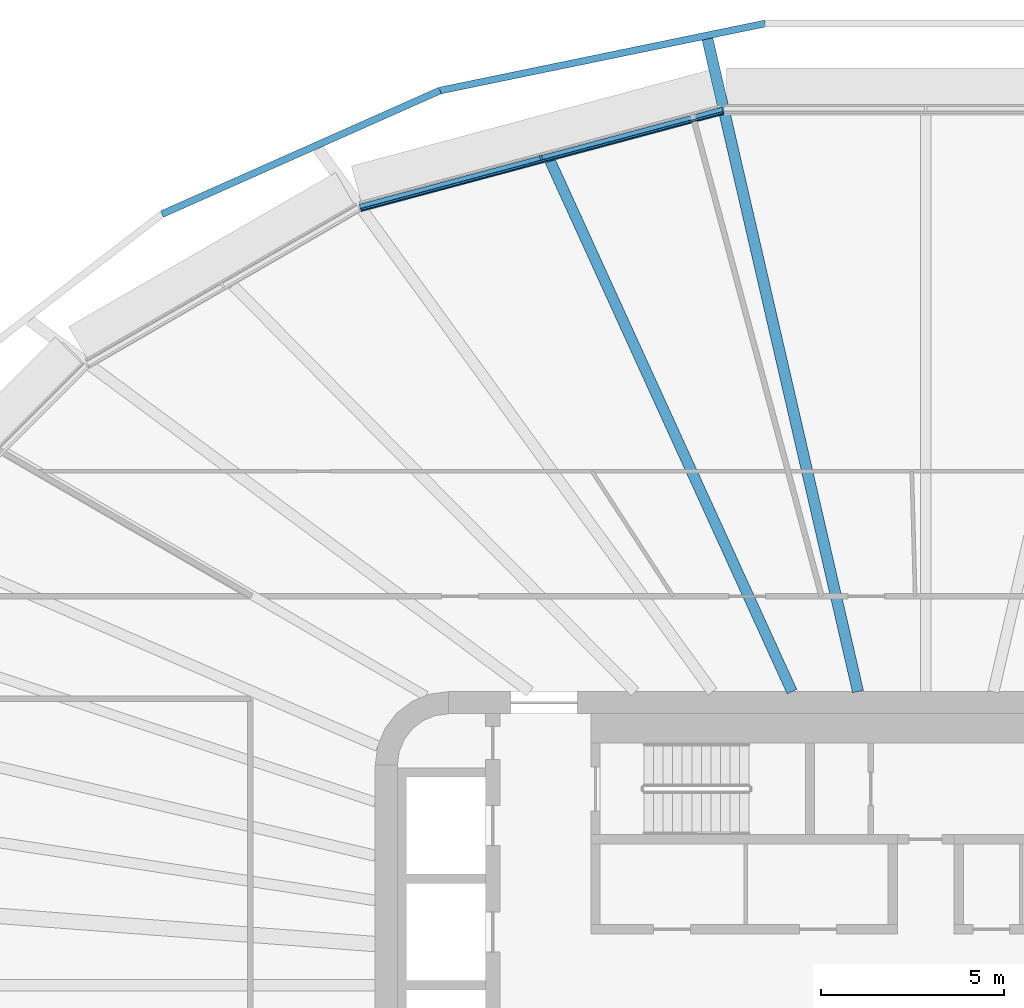
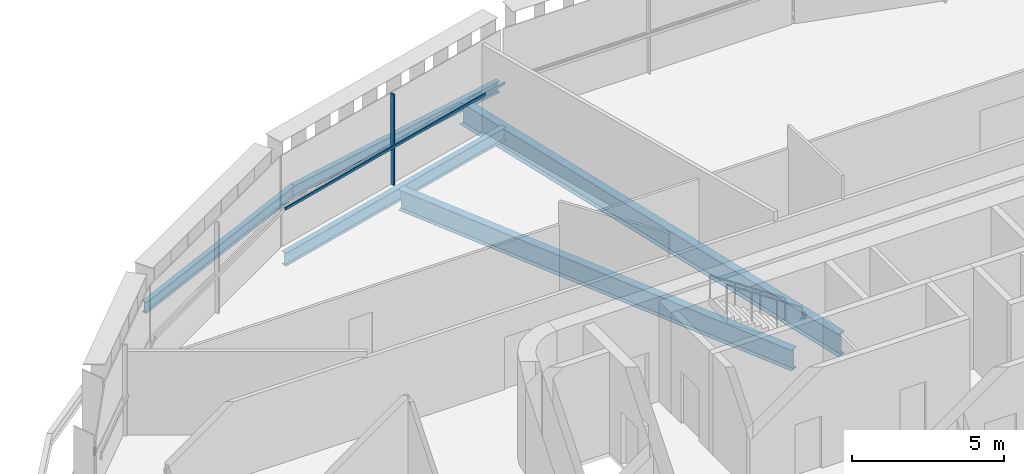
# One storey, part 8 of 25: 5 beams, 2 members, 1 element without a shape of its own.
"""IFC4 building model written with IfcOpenShell, lengths in metres."""

from ifc_helpers import new_model, si_unit, direction, frame, origin, origin_2d, place, context, subcontext, project, spatial, rectangle, i_section, extrude, material, layer, layer_set, material_profile, profile_set, type_object, element, aggregate, save


model = new_model("IFC4")

# Units and contexts
model_context = context("Model", 3, precision=1e-05, world=origin(), true_north=direction((0.0, 1.0)))
body_context = subcontext(model_context, "Body", "Model", "MODEL_VIEW")
ifc_project = project(units=[si_unit("LENGTHUNIT", "METRE"), si_unit("AREAUNIT", "SQUARE_METRE"), si_unit("VOLUMEUNIT", "CUBIC_METRE"), si_unit("PLANEANGLEUNIT", "RADIAN"), si_unit("MASSUNIT", "GRAM", prefix="KILO")], contexts=[model_context])

# Site, building, storey
site_placement = place(None, origin())
site = spatial("IfcSite", under=ifc_project, at=site_placement, CompositionType="ELEMENT")
building_placement = place(site_placement, origin())
building = spatial("IfcBuilding", under=site, at=building_placement, Name="Sahrelin Media Tower", CompositionType="ELEMENT")
storey_placement = place(building_placement, frame((0.0, 0.0, 106.199951171875)))
storey = spatial("IfcBuildingStorey", under=building, at=storey_placement, Name="L20", CompositionType="ELEMENT", Elevation=106.199951171875)

# Beam
ifc_material_1 = material(Name="Steel S355", Category="steel")
ifc_material_profile_1 = material_profile(ifc_material_1, i_section(OverallWidth=0.208740234375, OverallDepth=0.5283203125, WebThickness=0.009521484375, FlangeThickness=0.01318359375, FilletRadius=0.0126953125, at=origin_2d()), Name="UB 533x210x82")
ifc_profile_set_1 = profile_set([ifc_material_profile_1], Name="Steel S355")
beam_type_1 = type_object("IfcBeamType", Name="Edge beam EB6", PredefinedType="BEAM", material=ifc_profile_set_1)
beam_1_placement = place(storey_placement, frame((-15.41162109375, 21.17431640625, -0.4140625), z_axis=(0.965929419345, 0.258805635261, 0.0), x_axis=(-0.258805635261, 0.965929419345, 0.0)))
element("IfcBeam", 1, at=beam_1_placement, inside=storey, type_object=beam_type_1, Name="Edge beam L20-18", PredefinedType="BEAM", context=body_context, shape_type="SweptSolid", body=[
    extrude(i_section(OverallWidth=0.208740234375, OverallDepth=0.5283203125, WebThickness=0.009521484375, FlangeThickness=0.01318359375, FilletRadius=0.0126953125, at=origin_2d()), origin(), (0.0, 0.0, 1.0), 10.235107421875),
])

# Curtain wall, member
ifc_material_2 = material(Name="Champagne anodised aluminium 6063-T6", Category="aluminium")
ifc_layer = layer(ifc_material_2, 0.14990234375)
ifc_layer_set = layer_set([ifc_layer], Name="Tower ribbon curtain wall")
curtain_wall_type = type_object("IfcCurtainWallType", Name="Tower ribbon curtain wall", PredefinedType="NOTDEFINED", material=ifc_layer_set)
curtain_wall_placement = place(storey_placement, frame((-10.507080078125, 22.643798828125, 0.0), z_axis=(0.0, 0.0, 1.0), x_axis=(1.0, 0.0, 0.0)))
curtain_wall = element("IfcCurtainWall", 2, at=curtain_wall_placement, inside=storey, type_object=curtain_wall_type, Name="L20:CW:L20-07", PredefinedType="NOTDEFINED")
ifc_material_profile_2 = material_profile(ifc_material_2, rectangle(XDim=0.06005859375, YDim=0.14990234375, at=origin_2d()), Name="Mullion 60x150")
ifc_profile_set_2 = profile_set([ifc_material_profile_2], Name="Champagne anodised aluminium 6063-T6")
member_type_1 = type_object("IfcMemberType", Name="Mullion 60x150 CW1", PredefinedType="MULLION", material=ifc_profile_set_2)
member_1_placement = place(storey_placement, frame((-10.482666015625, 22.552001953125, 0.0), z_axis=(0.0, 0.0, 1.0), x_axis=(-0.965926278012, -0.258817359244, 0.0)))
member_1 = element("IfcMember", 3, at=member_1_placement, type_object=member_type_1, Name="L20:CWM:L20-07", PredefinedType="MULLION", context=body_context, shape_type="SweptSolid", body=[
    extrude(rectangle(XDim=0.06005859375, YDim=0.14990234375, at=origin_2d()), origin(), (0.0, 0.0, 1.0), 3.648681640625),
])

# Beams
ifc_material_profile_3 = material_profile(ifc_material_1, i_section(OverallWidth=0.30322265625, OverallDepth=0.903076171875, WebThickness=0.01513671875, FlangeThickness=0.020263671875, FilletRadius=0.01904296875, at=origin_2d()), Name="UB 914x305x201")
ifc_profile_set_3 = profile_set([ifc_material_profile_3], Name="Steel S355")
beam_type_2 = type_object("IfcBeamType", Name="Radial primary beam PB11", PredefinedType="BEAM", material=ifc_profile_set_3)
beam_2_placement = place(storey_placement, frame((-1.845458984375, 8.0, -0.6015625), z_axis=(-0.224770597267, 0.974411708984, 0.0), x_axis=(-0.974411708984, -0.224770597267, 0.0)))
element("IfcBeam", 4, at=beam_2_placement, inside=storey, type_object=beam_type_2, Name="Radial beam L20-07", PredefinedType="BEAM", context=body_context, shape_type="SweptSolid", body=[
    extrude(i_section(OverallWidth=0.30322265625, OverallDepth=0.903076171875, WebThickness=0.01513671875, FlangeThickness=0.020263671875, FilletRadius=0.01904296875, at=origin_2d()), origin(), (0.0, 0.0, 1.0), 18.25),
])
ifc_material_profile_4 = material_profile(ifc_material_1, i_section(OverallWidth=0.291748046875, OverallDepth=0.8349609375, WebThickness=0.013916015625, FlangeThickness=0.018798828125, FilletRadius=0.017822265625, at=origin_2d()), Name="UB 838x292x176")
ifc_profile_set_4 = profile_set([ifc_material_profile_4], Name="Steel S355")
beam_type_3 = type_object("IfcBeamType", Name="Radial secondary beam SB10", PredefinedType="BEAM", material=ifc_profile_set_4)
beam_3_placement = place(storey_placement, frame((-3.64501953125, 8.0, -0.5673828125), z_axis=(-0.414626132753, 0.909991851633, 0.0), x_axis=(-0.909991851633, -0.414626132753, 0.0)))
element("IfcBeam", 5, at=beam_3_placement, inside=storey, type_object=beam_type_3, Name="Secondary beam L20-07", PredefinedType="BEAM", context=body_context, shape_type="SweptSolid", body=[
    extrude(i_section(OverallWidth=0.291748046875, OverallDepth=0.8349609375, WebThickness=0.013916015625, FlangeThickness=0.018798828125, FilletRadius=0.017822265625, at=origin_2d()), origin(), (0.0, 0.0, 1.0), 15.884033203125),
])
ifc_material_profile_5 = material_profile(ifc_material_1, i_section(OverallWidth=0.1904296875, OverallDepth=0.45703125, WebThickness=0.009033203125, FlangeThickness=0.014404296875, FilletRadius=0.01025390625, at=origin_2d()), Name="UB 457x191x74")
ifc_profile_set_5 = profile_set([ifc_material_profile_5], Name="Steel S355")
beam_type_4 = type_object("IfcBeamType", Name="Tie chord TC5", PredefinedType="BEAM", material=ifc_profile_set_5)
beam_4_placement = place(storey_placement, frame((-4.373779296875, 26.204833984375, -0.37841796875), z_axis=(-0.979386132025, -0.201997040565, 0.0), x_axis=(0.201997040565, -0.979386132025, 0.0)))
element("IfcBeam", 6, at=beam_4_placement, inside=storey, type_object=beam_type_4, Name="Tie chord L20-07", PredefinedType="BEAM", context=body_context, shape_type="SweptSolid", body=[
    extrude(i_section(OverallWidth=0.1904296875, OverallDepth=0.45703125, WebThickness=0.009033203125, FlangeThickness=0.014404296875, FilletRadius=0.01025390625, at=origin_2d()), origin(), (0.0, 0.0, 1.0), 9.0478515625),
])
beam_5_placement = place(storey_placement, frame((-13.235107421875, 24.377197265625, -0.37841796875), z_axis=(-0.913829764708, -0.406097477378, 0.0), x_axis=(0.406097477378, -0.913829764708, 0.0)))
element("IfcBeam", 7, at=beam_5_placement, inside=storey, type_object=beam_type_4, Name="Tie chord L20-08", PredefinedType="BEAM", context=body_context, shape_type="SweptSolid", body=[
    extrude(i_section(OverallWidth=0.1904296875, OverallDepth=0.45703125, WebThickness=0.009033203125, FlangeThickness=0.014404296875, FilletRadius=0.01025390625, at=origin_2d()), origin(), (0.0, 0.0, 1.0), 8.289794921875),
])

# Member
ifc_material_profile_6 = material_profile(ifc_material_2, rectangle(XDim=0.050048828125, YDim=0.10009765625, at=origin_2d()), Name="Transom 50x100")
ifc_profile_set_6 = profile_set([ifc_material_profile_6], Name="Champagne anodised aluminium 6063-T6")
member_type_2 = type_object("IfcMemberType", Name="Transom 50x100 CW1", PredefinedType="USERDEFINED", material=ifc_profile_set_6)
member_2_placement = place(storey_placement, frame((-5.52880859375, 23.77587890625, 1.60009765625), z_axis=(-0.965926477685, -0.258816614048, 0.0), x_axis=(0.258816614048, -0.965926477685, 0.0)))
member_2 = element("IfcMember", 8, at=member_2_placement, type_object=member_type_2, Name="L20:CWT:L20-07", ObjectType="TRANSOM", PredefinedType="USERDEFINED", context=body_context, shape_type="SweptSolid", body=[
    extrude(rectangle(XDim=0.050048828125, YDim=0.10009765625, at=origin_2d()), origin(), (0.0, 0.0, 1.0), 10.20361328125),
])

aggregate(curtain_wall, [member_1, member_2])

save(model, "model.ifc")
